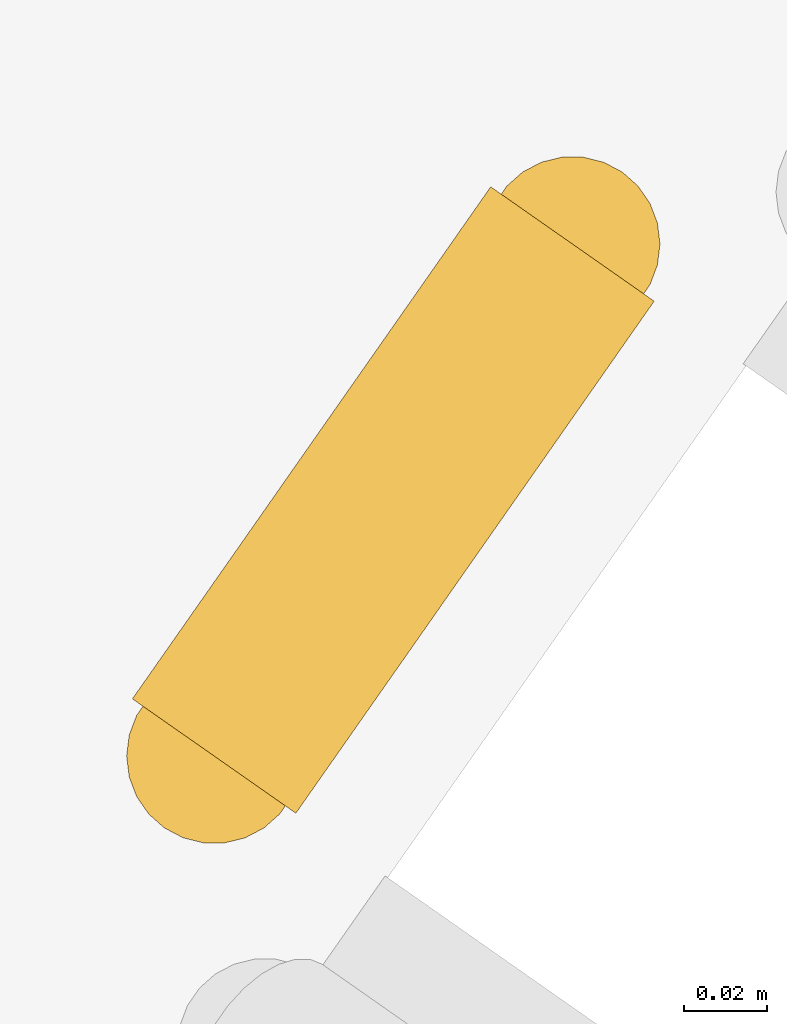
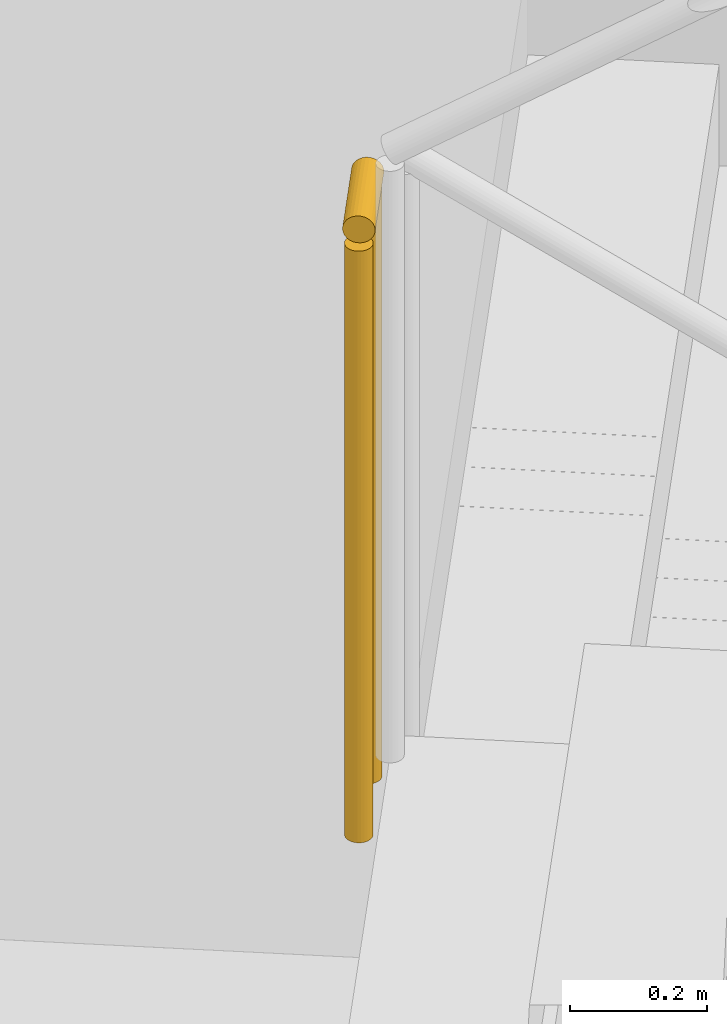
# One storey, part 22 of 24: 1 railing.
"""IFC4 building model written with IfcOpenShell, lengths in metres."""

from ifc_helpers import new_model, si_unit, direction, frame, origin, origin_2d, place, context, subcontext, project, spatial, circle, extrude, material, type_object, element, save


model = new_model("IFC4")

# Units and contexts
model_context = context("Model", 3, precision=1e-05, world=origin(), true_north=direction((0.0, 1.0)))
body_context = subcontext(model_context, "Body", "Model", "MODEL_VIEW")
ifc_project = project(units=[si_unit("LENGTHUNIT", "METRE"), si_unit("AREAUNIT", "SQUARE_METRE"), si_unit("VOLUMEUNIT", "CUBIC_METRE"), si_unit("PLANEANGLEUNIT", "RADIAN"), si_unit("MASSUNIT", "GRAM", prefix="KILO")], contexts=[model_context])

# Site, building, storey
site_placement = place(None, origin())
site = spatial("IfcSite", under=ifc_project, at=site_placement, CompositionType="ELEMENT")
building_placement = place(site_placement, origin())
building = spatial("IfcBuilding", under=site, at=building_placement, Name="Tel Ilan Convention Tower", CompositionType="ELEMENT")
storey_placement = place(building_placement, frame((0.0, 0.0, 65.300048828125)))
storey = spatial("IfcBuildingStorey", under=building, at=storey_placement, Name="L11", CompositionType="ELEMENT", Elevation=65.300048828125)

# Railing
ifc_material = material(Name="Stainless Steel Grade 316", Category="steel")
railing_type = type_object("IfcRailingType", Name="Stainless Steel Stair Guard 1100 mm", PredefinedType="GUARDRAIL", material=ifc_material)
railing_placement = place(storey_placement, frame((18.762939453125, -10.391357421875, 1.800048828125)))
element("IfcRailing", 1, at=railing_placement, inside=storey, type_object=railing_type, Name="L11 S4 stair guard 2", PredefinedType="GUARDRAIL", context=body_context, shape_type="SweptSolid", body=[
    extrude(circle(Radius=0.02392578125, at=origin_2d()), frame((0.0, 0.0, 1.076171875), z_axis=(-0.573353020881, -0.819308436089, 0.0), x_axis=(0.819308436089, -0.573353020881, 0.0)), (0.0, 0.0, 1.0), 0.14990234375),
    extrude(circle(Radius=0.02099609375, at=origin_2d()), origin(), (0.0, 0.0, 1.0), 1.052001953125),
    extrude(circle(Radius=0.02099609375, at=origin_2d()), frame((-0.0859375, -0.122802734375, 0.0)), (0.0, 0.0, 1.0), 1.052001953125),
])

save(model, "model.ifc")
